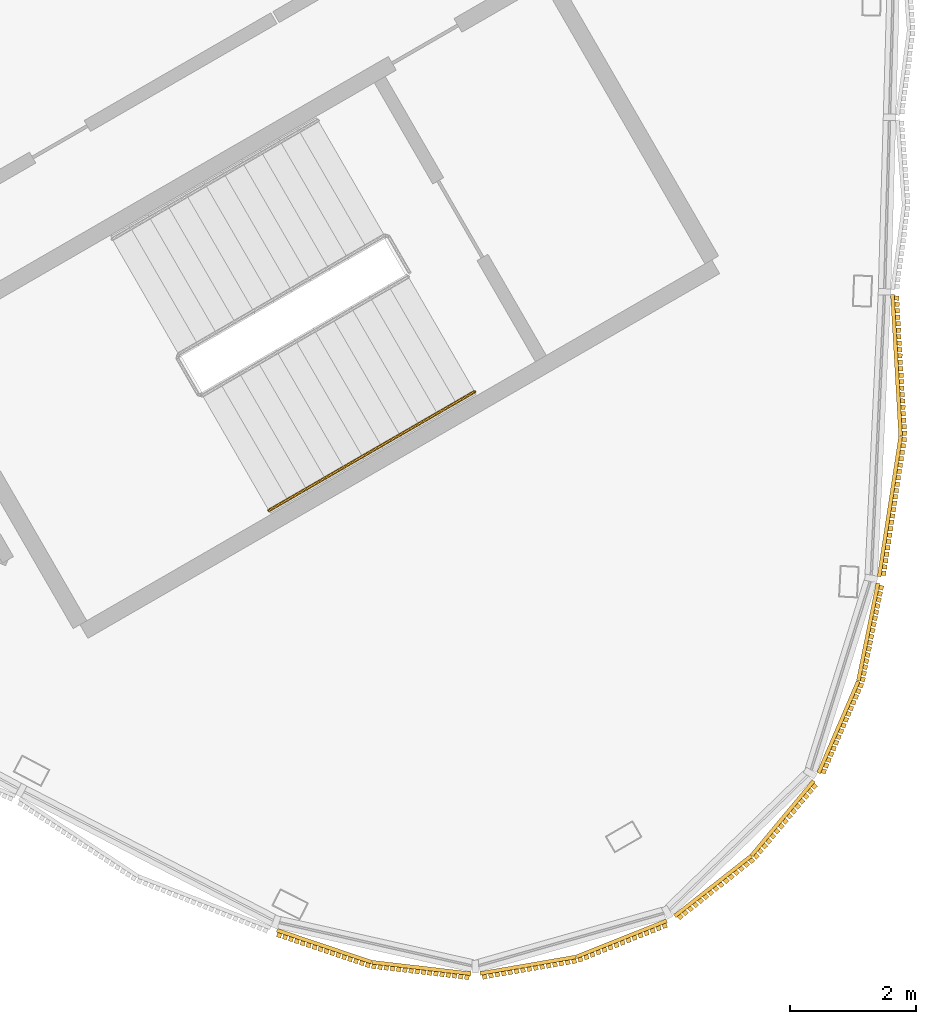
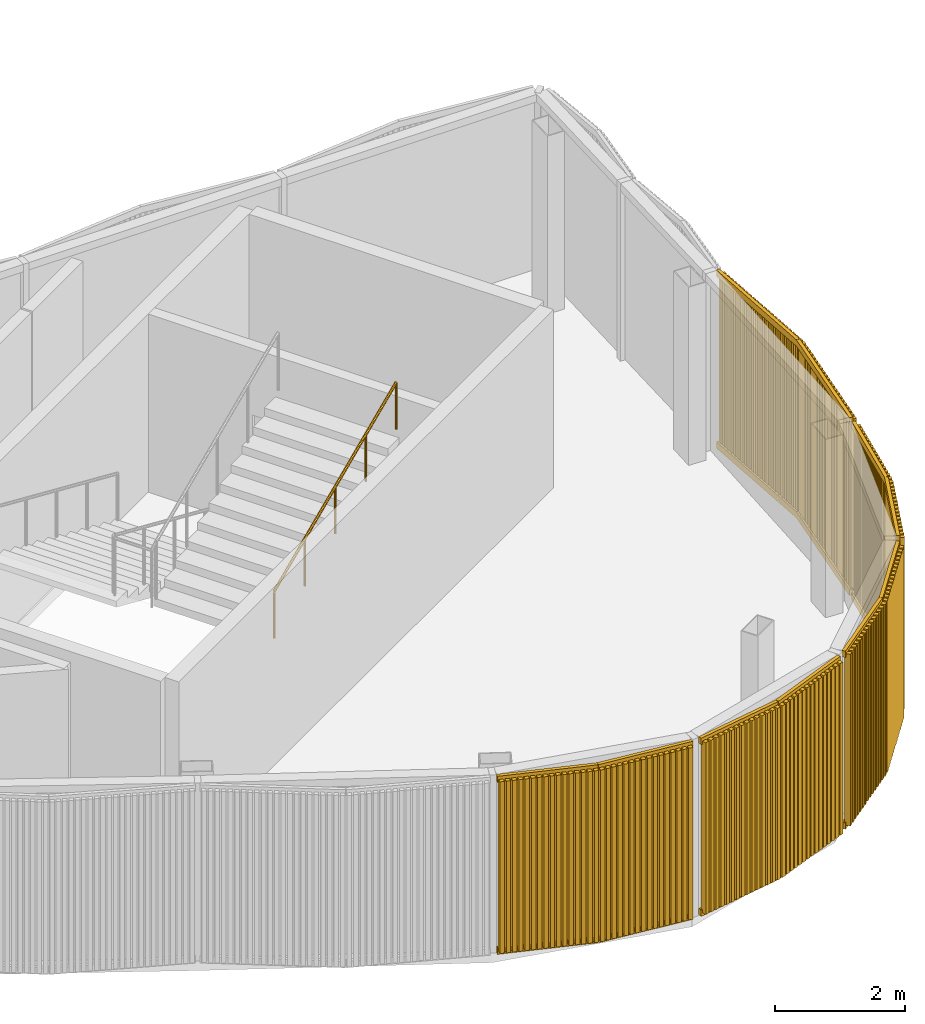
# One storey, part 12 of 16: 5 coverings, 1 railing.
"""IFC4 building model written with IfcOpenShell, lengths in metres."""

from ifc_helpers import new_model, si_unit, direction, frame, frame_2d, origin, origin_2d, place, context, subcontext, project, spatial, rectangle, circle, extrude, source, transform, mapped, material, type_object, element, save


model = new_model("IFC4")

# Units and contexts
model_context = context("Model", 3, precision=1e-05, world=origin(), true_north=direction((0.0, 1.0)))
body_context = subcontext(model_context, "Body", "Model", "MODEL_VIEW")
ifc_project = project(units=[si_unit("LENGTHUNIT", "METRE"), si_unit("AREAUNIT", "SQUARE_METRE"), si_unit("VOLUMEUNIT", "CUBIC_METRE"), si_unit("PLANEANGLEUNIT", "RADIAN"), si_unit("MASSUNIT", "GRAM", prefix="KILO")], contexts=[model_context])

# Site, building, storey
site_placement = place(None, origin())
site = spatial("IfcSite", under=ifc_project, at=site_placement, CompositionType="ELEMENT")
building_placement = place(site_placement, origin())
building = spatial("IfcBuilding", under=site, at=building_placement, Name="Tamra Quay Hotel Tower", CompositionType="ELEMENT")
storey_placement = place(building_placement, frame((0.0, 0.0, 327.800048828125)))
storey = spatial("IfcBuildingStorey", under=building, at=storey_placement, Name="Roof crown 3", CompositionType="ELEMENT", Elevation=327.800048828125)

# Railing
ifc_material_1 = material(Name="Stair handrail 900")
railing_type = type_object("IfcRailingType", Name="Stair handrail 900", PredefinedType="HANDRAIL", material=ifc_material_1)
railing_placement = place(storey_placement, frame((6.01953125, -14.98974609375, 1.949951171875)))
element("IfcRailing", 1, at=railing_placement, inside=storey, type_object=railing_type, Name="HR", PredefinedType="HANDRAIL", context=body_context, shape_type="SweptSolid", body=[
    extrude(circle(Radius=0.02392578125, at=origin_2d()), frame((0.0, 0.0, 0.8759765625), z_axis=(0.79310004713, 0.457886897714, 0.401661429744), x_axis=(-0.499992114976, 0.866029956157, 0.0)), (0.0, 0.0, 1.0), 4.107666015625),
    extrude(circle(Radius=0.02099609375, at=origin_2d()), origin(), (0.0, 0.0, 1.0), 0.851806640625),
    extrude(circle(Radius=0.02099609375, at=origin_2d()), frame((0.814453125, 0.47021484375, 0.41259765625)), (0.0, 0.0, 1.0), 0.851806640625),
    extrude(circle(Radius=0.02099609375, at=origin_2d()), frame((1.62890625, 0.9404296875, 0.824951171875)), (0.0, 0.0, 1.0), 0.851806640625),
    extrude(circle(Radius=0.02099609375, at=origin_2d()), frame((2.443359375, 1.41064453125, 1.2373046875)), (0.0, 0.0, 1.0), 0.851806640625),
    extrude(circle(Radius=0.02099609375, at=origin_2d()), frame((3.2578125, 1.880859375, 1.64990234375)), (0.0, 0.0, 1.0), 0.851806640625),
])

# Coverings
ifc_material_2 = material(Name="Terracotta baguette extruded", Category="masonry")
covering_type = type_object("IfcCoveringType", Name="BAGUETTE SCREEN CROWN H3350", PredefinedType="USERDEFINED", material=ifc_material_2)
shared_shape_1 = source(origin(), body_context, "Body", "SweptSolid", [
    extrude(rectangle(XDim=2.244873046875, YDim=0.06005859375, at=frame_2d((1.12255859375, 0.030029296875))), frame((-2.23876953125, -0.0576171875, -0.1201171875), z_axis=(0.0, 0.0, 1.0), x_axis=(0.994521895368, -0.104528463268, 0.0)), (0.0, 0.0, 1.0), 0.1201171875),
    extrude(rectangle(XDim=2.244873046875, YDim=0.06005859375, at=frame_2d((1.12255859375, 0.030029296875))), frame((-2.23876953125, -0.0576171875, -3.35009765625), z_axis=(0.0, 0.0, 1.0), x_axis=(0.994521895368, -0.104528463268, 0.0)), (0.0, 0.0, 1.0), 0.1201171875),
    extrude(rectangle(XDim=0.070068359375, YDim=0.10009765625, at=frame_2d((0.03515625, 0.050048828125))), frame((-2.216796875, -0.13330078125, -3.2900390625)), (0.0, 0.0, 1.0), 3.22998046875),
    extrude(rectangle(XDim=0.070068359375, YDim=0.10009765625, at=frame_2d((0.03515625, 0.050048828125))), frame((-2.115234375, -0.14404296875, -3.2900390625)), (0.0, 0.0, 1.0), 3.22998046875),
    extrude(rectangle(XDim=0.070068359375, YDim=0.10009765625, at=frame_2d((0.03515625, 0.050048828125))), frame((-2.013916015625, -0.154541015625, -3.2900390625)), (0.0, 0.0, 1.0), 3.22998046875),
    extrude(rectangle(XDim=0.070068359375, YDim=0.10009765625, at=frame_2d((0.03515625, 0.050048828125))), frame((-1.912353515625, -0.165283203125, -3.2900390625)), (0.0, 0.0, 1.0), 3.22998046875),
    extrude(rectangle(XDim=0.070068359375, YDim=0.10009765625, at=frame_2d((0.03515625, 0.050048828125))), frame((-1.810791015625, -0.176025390625, -3.2900390625)), (0.0, 0.0, 1.0), 3.22998046875),
    extrude(rectangle(XDim=0.070068359375, YDim=0.10009765625, at=frame_2d((0.03515625, 0.050048828125))), frame((-1.70947265625, -0.186767578125, -3.2900390625)), (0.0, 0.0, 1.0), 3.22998046875),
    extrude(rectangle(XDim=0.070068359375, YDim=0.10009765625, at=frame_2d((0.03515625, 0.050048828125))), frame((-1.60791015625, -0.197265625, -3.2900390625)), (0.0, 0.0, 1.0), 3.22998046875),
    extrude(rectangle(XDim=0.070068359375, YDim=0.10009765625, at=frame_2d((0.03515625, 0.050048828125))), frame((-1.50634765625, -0.2080078125, -3.2900390625)), (0.0, 0.0, 1.0), 3.22998046875),
    extrude(rectangle(XDim=0.070068359375, YDim=0.10009765625, at=frame_2d((0.03515625, 0.050048828125))), frame((-1.405029296875, -0.21875, -3.2900390625)), (0.0, 0.0, 1.0), 3.22998046875),
    extrude(rectangle(XDim=0.070068359375, YDim=0.10009765625, at=frame_2d((0.03515625, 0.050048828125))), frame((-1.303466796875, -0.229248046875, -3.2900390625)), (0.0, 0.0, 1.0), 3.22998046875),
    extrude(rectangle(XDim=0.070068359375, YDim=0.10009765625, at=frame_2d((0.03515625, 0.050048828125))), frame((-1.201904296875, -0.239990234375, -3.2900390625)), (0.0, 0.0, 1.0), 3.22998046875),
    extrude(rectangle(XDim=0.070068359375, YDim=0.10009765625, at=frame_2d((0.03515625, 0.050048828125))), frame((-1.1005859375, -0.250732421875, -3.2900390625)), (0.0, 0.0, 1.0), 3.22998046875),
    extrude(rectangle(XDim=0.070068359375, YDim=0.10009765625, at=frame_2d((0.03515625, 0.050048828125))), frame((-0.9990234375, -0.26123046875, -3.2900390625)), (0.0, 0.0, 1.0), 3.22998046875),
    extrude(rectangle(XDim=0.070068359375, YDim=0.10009765625, at=frame_2d((0.03515625, 0.050048828125))), frame((-0.8974609375, -0.27197265625, -3.2900390625)), (0.0, 0.0, 1.0), 3.22998046875),
    extrude(rectangle(XDim=0.070068359375, YDim=0.10009765625, at=frame_2d((0.03515625, 0.050048828125))), frame((-0.796142578125, -0.28271484375, -3.2900390625)), (0.0, 0.0, 1.0), 3.22998046875),
    extrude(rectangle(XDim=0.070068359375, YDim=0.10009765625, at=frame_2d((0.03515625, 0.050048828125))), frame((-0.694580078125, -0.293212890625, -3.2900390625)), (0.0, 0.0, 1.0), 3.22998046875),
    extrude(rectangle(XDim=0.070068359375, YDim=0.10009765625, at=frame_2d((0.03515625, 0.050048828125))), frame((-0.593017578125, -0.303955078125, -3.2900390625)), (0.0, 0.0, 1.0), 3.22998046875),
    extrude(rectangle(XDim=0.070068359375, YDim=0.10009765625, at=frame_2d((0.03515625, 0.050048828125))), frame((-0.49169921875, -0.314697265625, -3.2900390625)), (0.0, 0.0, 1.0), 3.22998046875),
    extrude(rectangle(XDim=0.070068359375, YDim=0.10009765625, at=frame_2d((0.03515625, 0.050048828125))), frame((-0.39013671875, -0.325439453125, -3.2900390625)), (0.0, 0.0, 1.0), 3.22998046875),
    extrude(rectangle(XDim=0.070068359375, YDim=0.10009765625, at=frame_2d((0.03515625, 0.050048828125))), frame((-0.28857421875, -0.3359375, -3.2900390625)), (0.0, 0.0, 1.0), 3.22998046875),
    extrude(rectangle(XDim=0.070068359375, YDim=0.10009765625, at=frame_2d((0.03515625, 0.050048828125))), frame((-0.187255859375, -0.3466796875, -3.2900390625)), (0.0, 0.0, 1.0), 3.22998046875),
    extrude(rectangle(XDim=0.070068359375, YDim=0.10009765625, at=frame_2d((0.03515625, 0.050048828125))), frame((-0.085693359375, -0.357421875, -3.2900390625)), (0.0, 0.0, 1.0), 3.22998046875),
    extrude(rectangle(XDim=2.244873046875, YDim=0.06005859375, at=frame_2d((1.12255859375, 0.030029296875))), frame((0.00634765625, -0.292236328125, -0.1201171875), z_axis=(0.0, 0.0, 1.0), x_axis=(0.994521895368, 0.104528463268, 0.0)), (0.0, 0.0, 1.0), 0.1201171875),
    extrude(rectangle(XDim=2.244873046875, YDim=0.06005859375, at=frame_2d((1.12255859375, 0.030029296875))), frame((0.00634765625, -0.292236328125, -3.35009765625), z_axis=(0.0, 0.0, 1.0), x_axis=(0.994521895368, 0.104528463268, 0.0)), (0.0, 0.0, 1.0), 0.1201171875),
    extrude(rectangle(XDim=0.070068359375, YDim=0.10009765625, at=frame_2d((0.03515625, 0.050048828125))), frame((0.015625, -0.357421875, -3.2900390625)), (0.0, 0.0, 1.0), 3.22998046875),
    extrude(rectangle(XDim=0.070068359375, YDim=0.10009765625, at=frame_2d((0.03515625, 0.050048828125))), frame((0.1171875, -0.3466796875, -3.2900390625)), (0.0, 0.0, 1.0), 3.22998046875),
    extrude(rectangle(XDim=0.070068359375, YDim=0.10009765625, at=frame_2d((0.03515625, 0.050048828125))), frame((0.21875, -0.3359375, -3.2900390625)), (0.0, 0.0, 1.0), 3.22998046875),
    extrude(rectangle(XDim=0.070068359375, YDim=0.10009765625, at=frame_2d((0.03515625, 0.050048828125))), frame((0.320068359375, -0.325439453125, -3.2900390625)), (0.0, 0.0, 1.0), 3.22998046875),
    extrude(rectangle(XDim=0.070068359375, YDim=0.10009765625, at=frame_2d((0.03515625, 0.050048828125))), frame((0.421630859375, -0.314697265625, -3.2900390625)), (0.0, 0.0, 1.0), 3.22998046875),
    extrude(rectangle(XDim=0.070068359375, YDim=0.10009765625, at=frame_2d((0.03515625, 0.050048828125))), frame((0.523193359375, -0.303955078125, -3.2900390625)), (0.0, 0.0, 1.0), 3.22998046875),
    extrude(rectangle(XDim=0.070068359375, YDim=0.10009765625, at=frame_2d((0.03515625, 0.050048828125))), frame((0.62451171875, -0.293212890625, -3.2900390625)), (0.0, 0.0, 1.0), 3.22998046875),
    extrude(rectangle(XDim=0.070068359375, YDim=0.10009765625, at=frame_2d((0.03515625, 0.050048828125))), frame((0.72607421875, -0.28271484375, -3.2900390625)), (0.0, 0.0, 1.0), 3.22998046875),
    extrude(rectangle(XDim=0.070068359375, YDim=0.10009765625, at=frame_2d((0.03515625, 0.050048828125))), frame((0.82763671875, -0.27197265625, -3.2900390625)), (0.0, 0.0, 1.0), 3.22998046875),
    extrude(rectangle(XDim=0.070068359375, YDim=0.10009765625, at=frame_2d((0.03515625, 0.050048828125))), frame((0.928955078125, -0.26123046875, -3.2900390625)), (0.0, 0.0, 1.0), 3.22998046875),
    extrude(rectangle(XDim=0.070068359375, YDim=0.10009765625, at=frame_2d((0.03515625, 0.050048828125))), frame((1.030517578125, -0.250732421875, -3.2900390625)), (0.0, 0.0, 1.0), 3.22998046875),
    extrude(rectangle(XDim=0.070068359375, YDim=0.10009765625, at=frame_2d((0.03515625, 0.050048828125))), frame((1.132080078125, -0.239990234375, -3.2900390625)), (0.0, 0.0, 1.0), 3.22998046875),
    extrude(rectangle(XDim=0.070068359375, YDim=0.10009765625, at=frame_2d((0.03515625, 0.050048828125))), frame((1.2333984375, -0.229248046875, -3.2900390625)), (0.0, 0.0, 1.0), 3.22998046875),
    extrude(rectangle(XDim=0.070068359375, YDim=0.10009765625, at=frame_2d((0.03515625, 0.050048828125))), frame((1.3349609375, -0.21875, -3.2900390625)), (0.0, 0.0, 1.0), 3.22998046875),
    extrude(rectangle(XDim=0.070068359375, YDim=0.10009765625, at=frame_2d((0.03515625, 0.050048828125))), frame((1.4365234375, -0.2080078125, -3.2900390625)), (0.0, 0.0, 1.0), 3.22998046875),
    extrude(rectangle(XDim=0.070068359375, YDim=0.10009765625, at=frame_2d((0.03515625, 0.050048828125))), frame((1.537841796875, -0.197265625, -3.2900390625)), (0.0, 0.0, 1.0), 3.22998046875),
    extrude(rectangle(XDim=0.070068359375, YDim=0.10009765625, at=frame_2d((0.03515625, 0.050048828125))), frame((1.639404296875, -0.186767578125, -3.2900390625)), (0.0, 0.0, 1.0), 3.22998046875),
    extrude(rectangle(XDim=0.070068359375, YDim=0.10009765625, at=frame_2d((0.03515625, 0.050048828125))), frame((1.740966796875, -0.176025390625, -3.2900390625)), (0.0, 0.0, 1.0), 3.22998046875),
    extrude(rectangle(XDim=0.070068359375, YDim=0.10009765625, at=frame_2d((0.03515625, 0.050048828125))), frame((1.84228515625, -0.165283203125, -3.2900390625)), (0.0, 0.0, 1.0), 3.22998046875),
    extrude(rectangle(XDim=0.070068359375, YDim=0.10009765625, at=frame_2d((0.03515625, 0.050048828125))), frame((1.94384765625, -0.154541015625, -3.2900390625)), (0.0, 0.0, 1.0), 3.22998046875),
    extrude(rectangle(XDim=0.070068359375, YDim=0.10009765625, at=frame_2d((0.03515625, 0.050048828125))), frame((2.045166015625, -0.14404296875, -3.2900390625)), (0.0, 0.0, 1.0), 3.22998046875),
    extrude(rectangle(XDim=0.070068359375, YDim=0.10009765625, at=frame_2d((0.03515625, 0.050048828125))), frame((2.146728515625, -0.13330078125, -3.2900390625)), (0.0, 0.0, 1.0), 3.22998046875),
])
covering_placement = place(storey_placement, frame((15.759521484375, -13.80078125, 3.349853515625), z_axis=(0.0, 0.0, 1.0), x_axis=(0.046821305973, 0.998903281257, 0.0)))
element("IfcCovering", 2, at=covering_placement, inside=storey, type_object=covering_type, Name="Baguette screen Roof crown 3.B.f19", ObjectType="BAGUETTE SCREEN", PredefinedType="USERDEFINED", context=body_context, shape_type="MappedRepresentation", body=[
    mapped(shared_shape_1, transform((0.0, 0.0, 0.0), scale=1.0)),
])
shared_shape_2 = source(origin(), body_context, "Body", "SweptSolid", [
    extrude(rectangle(XDim=1.5810546875, YDim=0.06005859375, at=frame_2d((0.79052734375, 0.030029296875))), frame((-1.578857421875, -0.0576171875, -0.1201171875), z_axis=(0.0, 0.0, 1.0), x_axis=(0.994521895368, -0.104528463268, 0.0)), (0.0, 0.0, 1.0), 0.1201171875),
    extrude(rectangle(XDim=1.5810546875, YDim=0.06005859375, at=frame_2d((0.79052734375, 0.030029296875))), frame((-1.578857421875, -0.0576171875, -3.35009765625), z_axis=(0.0, 0.0, 1.0), x_axis=(0.994521895368, -0.104528463268, 0.0)), (0.0, 0.0, 1.0), 0.1201171875),
    extrude(rectangle(XDim=0.070068359375, YDim=0.10009765625, at=frame_2d((0.03515625, 0.050048828125))), frame((-1.558349609375, -0.133056640625, -3.2900390625)), (0.0, 0.0, 1.0), 3.22998046875),
    extrude(rectangle(XDim=0.070068359375, YDim=0.10009765625, at=frame_2d((0.03515625, 0.050048828125))), frame((-1.4599609375, -0.1435546875, -3.2900390625)), (0.0, 0.0, 1.0), 3.22998046875),
    extrude(rectangle(XDim=0.070068359375, YDim=0.10009765625, at=frame_2d((0.03515625, 0.050048828125))), frame((-1.36181640625, -0.15380859375, -3.2900390625)), (0.0, 0.0, 1.0), 3.22998046875),
    extrude(rectangle(XDim=0.070068359375, YDim=0.10009765625, at=frame_2d((0.03515625, 0.050048828125))), frame((-1.263427734375, -0.1640625, -3.2900390625)), (0.0, 0.0, 1.0), 3.22998046875),
    extrude(rectangle(XDim=0.070068359375, YDim=0.10009765625, at=frame_2d((0.03515625, 0.050048828125))), frame((-1.165283203125, -0.174560546875, -3.2900390625)), (0.0, 0.0, 1.0), 3.22998046875),
    extrude(rectangle(XDim=0.070068359375, YDim=0.10009765625, at=frame_2d((0.03515625, 0.050048828125))), frame((-1.06689453125, -0.184814453125, -3.2900390625)), (0.0, 0.0, 1.0), 3.22998046875),
    extrude(rectangle(XDim=0.070068359375, YDim=0.10009765625, at=frame_2d((0.03515625, 0.050048828125))), frame((-0.96875, -0.195068359375, -3.2900390625)), (0.0, 0.0, 1.0), 3.22998046875),
    extrude(rectangle(XDim=0.070068359375, YDim=0.10009765625, at=frame_2d((0.03515625, 0.050048828125))), frame((-0.870361328125, -0.20556640625, -3.2900390625)), (0.0, 0.0, 1.0), 3.22998046875),
    extrude(rectangle(XDim=0.070068359375, YDim=0.10009765625, at=frame_2d((0.03515625, 0.050048828125))), frame((-0.772216796875, -0.2158203125, -3.2900390625)), (0.0, 0.0, 1.0), 3.22998046875),
    extrude(rectangle(XDim=0.070068359375, YDim=0.10009765625, at=frame_2d((0.03515625, 0.050048828125))), frame((-0.673828125, -0.22607421875, -3.2900390625)), (0.0, 0.0, 1.0), 3.22998046875),
    extrude(rectangle(XDim=0.070068359375, YDim=0.10009765625, at=frame_2d((0.03515625, 0.050048828125))), frame((-0.575439453125, -0.236572265625, -3.2900390625)), (0.0, 0.0, 1.0), 3.22998046875),
    extrude(rectangle(XDim=0.070068359375, YDim=0.10009765625, at=frame_2d((0.03515625, 0.050048828125))), frame((-0.477294921875, -0.246826171875, -3.2900390625)), (0.0, 0.0, 1.0), 3.22998046875),
    extrude(rectangle(XDim=0.070068359375, YDim=0.10009765625, at=frame_2d((0.03515625, 0.050048828125))), frame((-0.37890625, -0.257080078125, -3.2900390625)), (0.0, 0.0, 1.0), 3.22998046875),
    extrude(rectangle(XDim=0.070068359375, YDim=0.10009765625, at=frame_2d((0.03515625, 0.050048828125))), frame((-0.28076171875, -0.267333984375, -3.2900390625)), (0.0, 0.0, 1.0), 3.22998046875),
    extrude(rectangle(XDim=0.070068359375, YDim=0.10009765625, at=frame_2d((0.03515625, 0.050048828125))), frame((-0.182373046875, -0.27783203125, -3.2900390625)), (0.0, 0.0, 1.0), 3.22998046875),
    extrude(rectangle(XDim=0.070068359375, YDim=0.10009765625, at=frame_2d((0.03515625, 0.050048828125))), frame((-0.084228515625, -0.2880859375, -3.2900390625)), (0.0, 0.0, 1.0), 3.22998046875),
    extrude(rectangle(XDim=1.5810546875, YDim=0.06005859375, at=frame_2d((0.79052734375, 0.030029296875))), frame((0.00634765625, -0.222900390625, -0.1201171875), z_axis=(0.0, 0.0, 1.0), x_axis=(0.994521895368, 0.104528463268, 0.0)), (0.0, 0.0, 1.0), 0.1201171875),
    extrude(rectangle(XDim=1.5810546875, YDim=0.06005859375, at=frame_2d((0.79052734375, 0.030029296875))), frame((0.00634765625, -0.222900390625, -3.35009765625), z_axis=(0.0, 0.0, 1.0), x_axis=(0.994521895368, 0.104528463268, 0.0)), (0.0, 0.0, 1.0), 0.1201171875),
    extrude(rectangle(XDim=0.070068359375, YDim=0.10009765625, at=frame_2d((0.03515625, 0.050048828125))), frame((0.01416015625, -0.2880859375, -3.2900390625)), (0.0, 0.0, 1.0), 3.22998046875),
    extrude(rectangle(XDim=0.070068359375, YDim=0.10009765625, at=frame_2d((0.03515625, 0.050048828125))), frame((0.1123046875, -0.27783203125, -3.2900390625)), (0.0, 0.0, 1.0), 3.22998046875),
    extrude(rectangle(XDim=0.070068359375, YDim=0.10009765625, at=frame_2d((0.03515625, 0.050048828125))), frame((0.210693359375, -0.267333984375, -3.2900390625)), (0.0, 0.0, 1.0), 3.22998046875),
    extrude(rectangle(XDim=0.070068359375, YDim=0.10009765625, at=frame_2d((0.03515625, 0.050048828125))), frame((0.30908203125, -0.257080078125, -3.2900390625)), (0.0, 0.0, 1.0), 3.22998046875),
    extrude(rectangle(XDim=0.070068359375, YDim=0.10009765625, at=frame_2d((0.03515625, 0.050048828125))), frame((0.4072265625, -0.246826171875, -3.2900390625)), (0.0, 0.0, 1.0), 3.22998046875),
    extrude(rectangle(XDim=0.070068359375, YDim=0.10009765625, at=frame_2d((0.03515625, 0.050048828125))), frame((0.505615234375, -0.236572265625, -3.2900390625)), (0.0, 0.0, 1.0), 3.22998046875),
    extrude(rectangle(XDim=0.070068359375, YDim=0.10009765625, at=frame_2d((0.03515625, 0.050048828125))), frame((0.603759765625, -0.22607421875, -3.2900390625)), (0.0, 0.0, 1.0), 3.22998046875),
    extrude(rectangle(XDim=0.070068359375, YDim=0.10009765625, at=frame_2d((0.03515625, 0.050048828125))), frame((0.7021484375, -0.2158203125, -3.2900390625)), (0.0, 0.0, 1.0), 3.22998046875),
    extrude(rectangle(XDim=0.070068359375, YDim=0.10009765625, at=frame_2d((0.03515625, 0.050048828125))), frame((0.80029296875, -0.20556640625, -3.2900390625)), (0.0, 0.0, 1.0), 3.22998046875),
    extrude(rectangle(XDim=0.070068359375, YDim=0.10009765625, at=frame_2d((0.03515625, 0.050048828125))), frame((0.898681640625, -0.195068359375, -3.2900390625)), (0.0, 0.0, 1.0), 3.22998046875),
    extrude(rectangle(XDim=0.070068359375, YDim=0.10009765625, at=frame_2d((0.03515625, 0.050048828125))), frame((0.9970703125, -0.184814453125, -3.2900390625)), (0.0, 0.0, 1.0), 3.22998046875),
    extrude(rectangle(XDim=0.070068359375, YDim=0.10009765625, at=frame_2d((0.03515625, 0.050048828125))), frame((1.09521484375, -0.174560546875, -3.2900390625)), (0.0, 0.0, 1.0), 3.22998046875),
    extrude(rectangle(XDim=0.070068359375, YDim=0.10009765625, at=frame_2d((0.03515625, 0.050048828125))), frame((1.193603515625, -0.1640625, -3.2900390625)), (0.0, 0.0, 1.0), 3.22998046875),
    extrude(rectangle(XDim=0.070068359375, YDim=0.10009765625, at=frame_2d((0.03515625, 0.050048828125))), frame((1.291748046875, -0.15380859375, -3.2900390625)), (0.0, 0.0, 1.0), 3.22998046875),
    extrude(rectangle(XDim=0.070068359375, YDim=0.10009765625, at=frame_2d((0.03515625, 0.050048828125))), frame((1.39013671875, -0.1435546875, -3.2900390625)), (0.0, 0.0, 1.0), 3.22998046875),
    extrude(rectangle(XDim=0.070068359375, YDim=0.10009765625, at=frame_2d((0.03515625, 0.050048828125))), frame((1.48828125, -0.133056640625, -3.2900390625)), (0.0, 0.0, 1.0), 3.22998046875),
])
for number, where, z_axis, x_axis, name in (
    (3, (7.689697265625, -21.952392578125, 3.349853515625), (0.0, 0.0, 1.0), (0.975768325721, -0.218806248814, 0.0), "Baguette screen Roof crown 3.B.f15"),
    (4, (15.16650390625, -17.6357421875, 3.349853515625), (0.0, 0.0, 1.0), (0.29839239288, 0.954443282689, 0.0), "Baguette screen Roof crown 3.B.f18"),
):
    element("IfcCovering", number, at=place(storey_placement, frame(where, z_axis=z_axis, x_axis=x_axis)), inside=storey, type_object=covering_type, Name=name, ObjectType="BAGUETTE SCREEN", PredefinedType="USERDEFINED", context=body_context, shape_type="MappedRepresentation", body=[
        mapped(shared_shape_2, transform((0.0, 0.0, 0.0), scale=1.0)),
    ])
shared_shape_3 = source(origin(), body_context, "Body", "SweptSolid", [
    extrude(rectangle(XDim=1.541015625, YDim=0.06005859375, at=frame_2d((0.7705078125, 0.030029296875))), frame((-1.538818359375, -0.0576171875, -0.1201171875), z_axis=(0.0, 0.0, 1.0), x_axis=(0.994521895368, -0.104528463268, 0.0)), (0.0, 0.0, 1.0), 0.1201171875),
    extrude(rectangle(XDim=1.541015625, YDim=0.06005859375, at=frame_2d((0.7705078125, 0.030029296875))), frame((-1.538818359375, -0.0576171875, -3.35009765625), z_axis=(0.0, 0.0, 1.0), x_axis=(0.994521895368, -0.104528463268, 0.0)), (0.0, 0.0, 1.0), 0.1201171875),
    extrude(rectangle(XDim=0.070068359375, YDim=0.10009765625, at=frame_2d((0.03515625, 0.050048828125))), frame((-1.516357421875, -0.13330078125, -3.2900390625)), (0.0, 0.0, 1.0), 3.22998046875),
    extrude(rectangle(XDim=0.070068359375, YDim=0.10009765625, at=frame_2d((0.03515625, 0.050048828125))), frame((-1.414306640625, -0.14404296875, -3.2900390625)), (0.0, 0.0, 1.0), 3.22998046875),
    extrude(rectangle(XDim=0.070068359375, YDim=0.10009765625, at=frame_2d((0.03515625, 0.050048828125))), frame((-1.31201171875, -0.15478515625, -3.2900390625)), (0.0, 0.0, 1.0), 3.22998046875),
    extrude(rectangle(XDim=0.070068359375, YDim=0.10009765625, at=frame_2d((0.03515625, 0.050048828125))), frame((-1.2099609375, -0.16552734375, -3.2900390625)), (0.0, 0.0, 1.0), 3.22998046875),
    extrude(rectangle(XDim=0.070068359375, YDim=0.10009765625, at=frame_2d((0.03515625, 0.050048828125))), frame((-1.107666015625, -0.17626953125, -3.2900390625)), (0.0, 0.0, 1.0), 3.22998046875),
    extrude(rectangle(XDim=0.070068359375, YDim=0.10009765625, at=frame_2d((0.03515625, 0.050048828125))), frame((-1.005615234375, -0.18701171875, -3.2900390625)), (0.0, 0.0, 1.0), 3.22998046875),
    extrude(rectangle(XDim=0.070068359375, YDim=0.10009765625, at=frame_2d((0.03515625, 0.050048828125))), frame((-0.9033203125, -0.19775390625, -3.2900390625)), (0.0, 0.0, 1.0), 3.22998046875),
    extrude(rectangle(XDim=0.070068359375, YDim=0.10009765625, at=frame_2d((0.03515625, 0.050048828125))), frame((-0.80126953125, -0.20849609375, -3.2900390625)), (0.0, 0.0, 1.0), 3.22998046875),
    extrude(rectangle(XDim=0.070068359375, YDim=0.10009765625, at=frame_2d((0.03515625, 0.050048828125))), frame((-0.698974609375, -0.21923828125, -3.2900390625)), (0.0, 0.0, 1.0), 3.22998046875),
    extrude(rectangle(XDim=0.070068359375, YDim=0.10009765625, at=frame_2d((0.03515625, 0.050048828125))), frame((-0.596923828125, -0.22998046875, -3.2900390625)), (0.0, 0.0, 1.0), 3.22998046875),
    extrude(rectangle(XDim=0.070068359375, YDim=0.10009765625, at=frame_2d((0.03515625, 0.050048828125))), frame((-0.49462890625, -0.24072265625, -3.2900390625)), (0.0, 0.0, 1.0), 3.22998046875),
    extrude(rectangle(XDim=0.070068359375, YDim=0.10009765625, at=frame_2d((0.03515625, 0.050048828125))), frame((-0.392578125, -0.25146484375, -3.2900390625)), (0.0, 0.0, 1.0), 3.22998046875),
    extrude(rectangle(XDim=0.070068359375, YDim=0.10009765625, at=frame_2d((0.03515625, 0.050048828125))), frame((-0.29052734375, -0.26220703125, -3.2900390625)), (0.0, 0.0, 1.0), 3.22998046875),
    extrude(rectangle(XDim=0.070068359375, YDim=0.10009765625, at=frame_2d((0.03515625, 0.050048828125))), frame((-0.188232421875, -0.27294921875, -3.2900390625)), (0.0, 0.0, 1.0), 3.22998046875),
    extrude(rectangle(XDim=0.070068359375, YDim=0.10009765625, at=frame_2d((0.03515625, 0.050048828125))), frame((-0.086181640625, -0.28369140625, -3.2900390625)), (0.0, 0.0, 1.0), 3.22998046875),
    extrude(rectangle(XDim=1.541015625, YDim=0.06005859375, at=frame_2d((0.7705078125, 0.030029296875))), frame((0.00634765625, -0.21875, -0.1201171875), z_axis=(0.0, 0.0, 1.0), x_axis=(0.994521895368, 0.104528463268, 0.0)), (0.0, 0.0, 1.0), 0.1201171875),
    extrude(rectangle(XDim=1.541015625, YDim=0.06005859375, at=frame_2d((0.7705078125, 0.030029296875))), frame((0.00634765625, -0.21875, -3.35009765625), z_axis=(0.0, 0.0, 1.0), x_axis=(0.994521895368, 0.104528463268, 0.0)), (0.0, 0.0, 1.0), 0.1201171875),
    extrude(rectangle(XDim=0.070068359375, YDim=0.10009765625, at=frame_2d((0.03515625, 0.050048828125))), frame((0.01611328125, -0.28369140625, -3.2900390625)), (0.0, 0.0, 1.0), 3.22998046875),
    extrude(rectangle(XDim=0.070068359375, YDim=0.10009765625, at=frame_2d((0.03515625, 0.050048828125))), frame((0.1181640625, -0.27294921875, -3.2900390625)), (0.0, 0.0, 1.0), 3.22998046875),
    extrude(rectangle(XDim=0.070068359375, YDim=0.10009765625, at=frame_2d((0.03515625, 0.050048828125))), frame((0.220458984375, -0.26220703125, -3.2900390625)), (0.0, 0.0, 1.0), 3.22998046875),
    extrude(rectangle(XDim=0.070068359375, YDim=0.10009765625, at=frame_2d((0.03515625, 0.050048828125))), frame((0.322509765625, -0.25146484375, -3.2900390625)), (0.0, 0.0, 1.0), 3.22998046875),
    extrude(rectangle(XDim=0.070068359375, YDim=0.10009765625, at=frame_2d((0.03515625, 0.050048828125))), frame((0.4248046875, -0.24072265625, -3.2900390625)), (0.0, 0.0, 1.0), 3.22998046875),
    extrude(rectangle(XDim=0.070068359375, YDim=0.10009765625, at=frame_2d((0.03515625, 0.050048828125))), frame((0.52685546875, -0.22998046875, -3.2900390625)), (0.0, 0.0, 1.0), 3.22998046875),
    extrude(rectangle(XDim=0.070068359375, YDim=0.10009765625, at=frame_2d((0.03515625, 0.050048828125))), frame((0.629150390625, -0.21923828125, -3.2900390625)), (0.0, 0.0, 1.0), 3.22998046875),
    extrude(rectangle(XDim=0.070068359375, YDim=0.10009765625, at=frame_2d((0.03515625, 0.050048828125))), frame((0.731201171875, -0.20849609375, -3.2900390625)), (0.0, 0.0, 1.0), 3.22998046875),
    extrude(rectangle(XDim=0.070068359375, YDim=0.10009765625, at=frame_2d((0.03515625, 0.050048828125))), frame((0.83349609375, -0.19775390625, -3.2900390625)), (0.0, 0.0, 1.0), 3.22998046875),
    extrude(rectangle(XDim=0.070068359375, YDim=0.10009765625, at=frame_2d((0.03515625, 0.050048828125))), frame((0.935546875, -0.18701171875, -3.2900390625)), (0.0, 0.0, 1.0), 3.22998046875),
    extrude(rectangle(XDim=0.070068359375, YDim=0.10009765625, at=frame_2d((0.03515625, 0.050048828125))), frame((1.037841796875, -0.17626953125, -3.2900390625)), (0.0, 0.0, 1.0), 3.22998046875),
    extrude(rectangle(XDim=0.070068359375, YDim=0.10009765625, at=frame_2d((0.03515625, 0.050048828125))), frame((1.139892578125, -0.16552734375, -3.2900390625)), (0.0, 0.0, 1.0), 3.22998046875),
    extrude(rectangle(XDim=0.070068359375, YDim=0.10009765625, at=frame_2d((0.03515625, 0.050048828125))), frame((1.2421875, -0.15478515625, -3.2900390625)), (0.0, 0.0, 1.0), 3.22998046875),
    extrude(rectangle(XDim=0.070068359375, YDim=0.10009765625, at=frame_2d((0.03515625, 0.050048828125))), frame((1.34423828125, -0.14404296875, -3.2900390625)), (0.0, 0.0, 1.0), 3.22998046875),
    extrude(rectangle(XDim=0.070068359375, YDim=0.10009765625, at=frame_2d((0.03515625, 0.050048828125))), frame((1.446533203125, -0.13330078125, -3.2900390625)), (0.0, 0.0, 1.0), 3.22998046875),
])
for number, where, z_axis, x_axis, name in (
    (5, (10.83447265625, -21.875244140625, 3.349853515625), (0.0, 0.0, 1.0), (0.96227963311, 0.272062323195, 0.0), "Baguette screen Roof crown 3.B.f16"),
    (6, (13.52734375, -20.320556640625, 3.349853515625), (0.0, 0.0, 1.0), (0.716752699854, 0.69732744622, 0.0), "Baguette screen Roof crown 3.B.f17"),
):
    element("IfcCovering", number, at=place(storey_placement, frame(where, z_axis=z_axis, x_axis=x_axis)), inside=storey, type_object=covering_type, Name=name, ObjectType="BAGUETTE SCREEN", PredefinedType="USERDEFINED", context=body_context, shape_type="MappedRepresentation", body=[
        mapped(shared_shape_3, transform((0.0, 0.0, 0.0), scale=1.0)),
    ])

save(model, "model.ifc")
